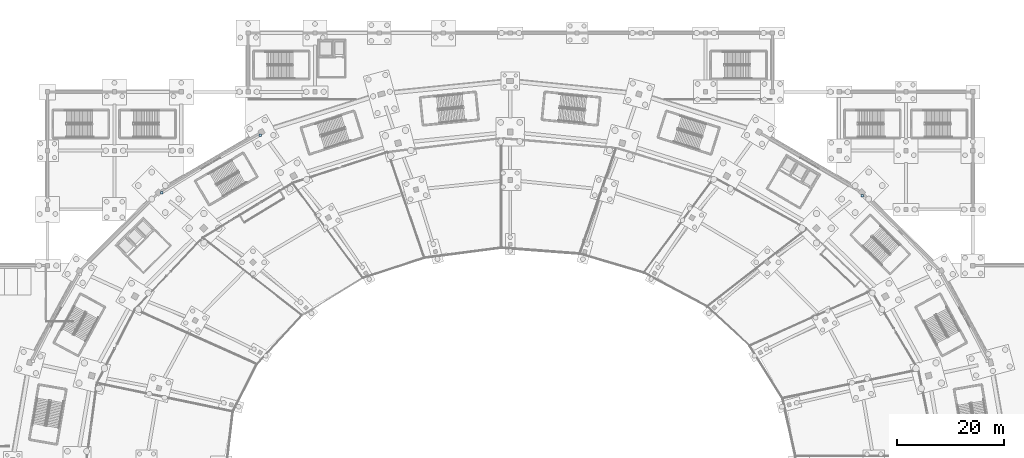
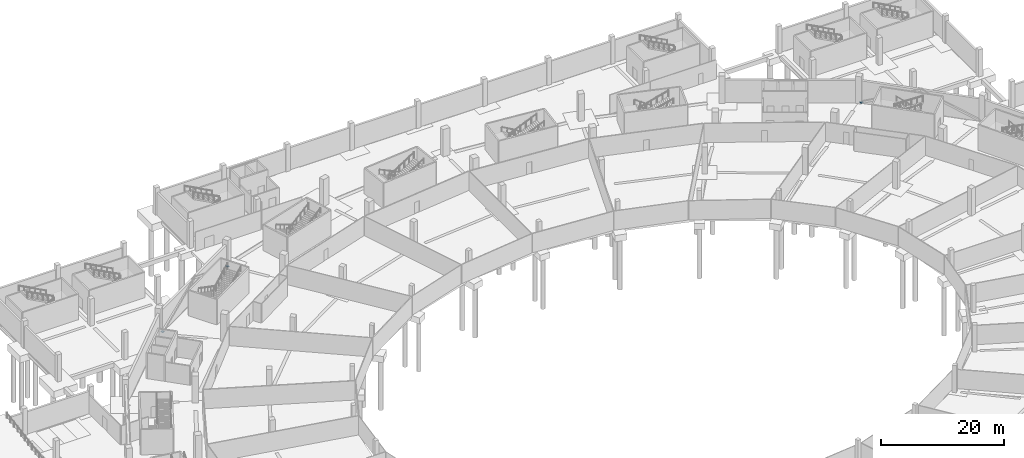
# One storey, part 30 of 74: 3 plates.
"""IFC4 building model written with IfcOpenShell, lengths in metres."""

from ifc_helpers import new_model, si_unit, direction, frame, origin, origin_2d, place, context, subcontext, project, spatial, rectangle, extrude, material, layer, layer_set, type_object, element, save


model = new_model("IFC4")

# Units and contexts
model_context = context("Model", 3, precision=1e-05, world=origin(), true_north=direction((0.0, 1.0)))
body_context = subcontext(model_context, "Body", "Model", "MODEL_VIEW")
ifc_project = project(units=[si_unit("LENGTHUNIT", "METRE"), si_unit("AREAUNIT", "SQUARE_METRE"), si_unit("VOLUMEUNIT", "CUBIC_METRE"), si_unit("PLANEANGLEUNIT", "RADIAN"), si_unit("MASSUNIT", "GRAM", prefix="KILO")], contexts=[model_context])

# Site, building, storey
site_placement = place(None, origin())
site = spatial("IfcSite", under=ifc_project, at=site_placement, CompositionType="ELEMENT")
building_placement = place(site_placement, origin())
building = spatial("IfcBuilding", under=site, at=building_placement, Name="Zlatoyarsky Gate Stadium", CompositionType="ELEMENT")
storey_placement = place(building_placement, frame((0.0, 0.0, -5.39990234375)))
storey = spatial("IfcBuildingStorey", under=building, at=storey_placement, Name="B1", CompositionType="ELEMENT", Elevation=-5.39990234375)

# Plates
ifc_material = material(Name="Steel S355", Category="steel")
ifc_layer = layer(ifc_material, 0.02392578125)
ifc_layer_set = layer_set([ifc_layer], Name="Steel S355")
plate_type = type_object("IfcPlateType", Name="STEEL HOLLOW CHORD SPLICE SHEET 24", PredefinedType="SHEET", material=ifc_layer_set)
for number, where, z_axis, x_axis, name in (
    (1, (176.804931640625, 129.568359375, 0.337890625), (0.0, 0.0, 1.0), (1.0, 0.0, 0.0), "Node closure plate ND-SP1 NCAP-BRC-02B"),
    (2, (64.298095703125, 140.8828125, 0.337890625), (0.0, 0.0, 1.0), (1.0, 0.0, 0.0), "Node closure plate ND-SP1 NCAP-BRC-03A"),
    (3, (45.865478515625, 130.084716796875, 0.337890625), (0.0, 0.0, 1.0), (1.0, 0.0, 0.0), "Node closure plate ND-SP1 NCAP-BRC-03B"),
):
    element("IfcPlate", number, at=place(storey_placement, frame(where, z_axis=z_axis, x_axis=x_axis)), inside=storey, type_object=plate_type, Name=name, PredefinedType="SHEET", context=body_context, shape_type="SweptSolid", body=[
        extrude(rectangle(XDim=0.47998046875, YDim=0.47998046875, at=origin_2d()), origin(), (0.0, 0.0, 1.0), 0.02392578125),
    ])

save(model, "model.ifc")
